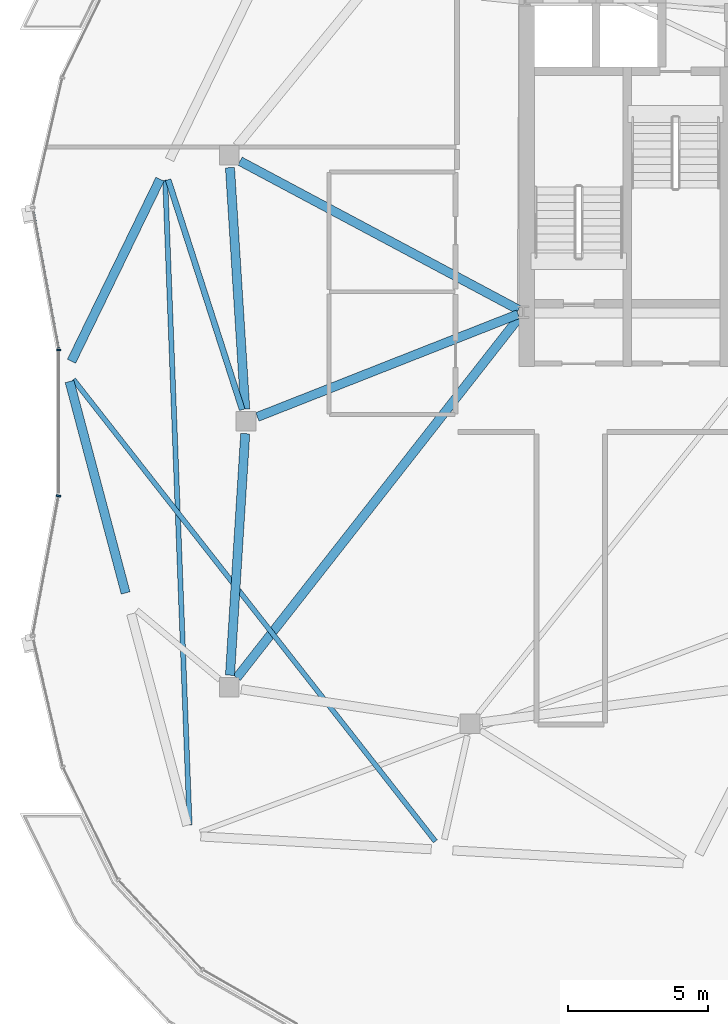
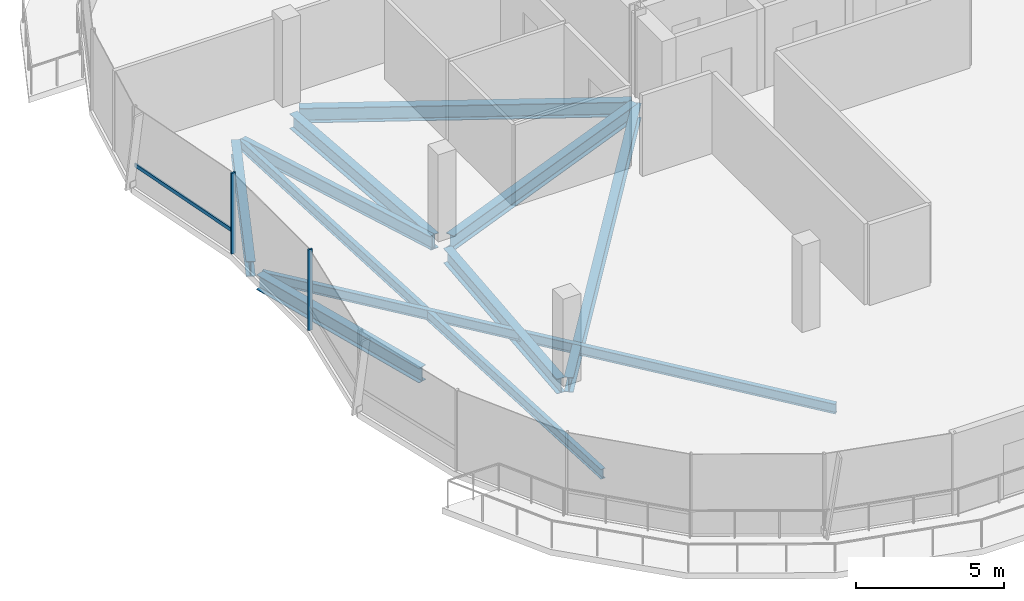
# One storey, part 4 of 31: 10 beams, 3 members, 1 element without a shape of its own.
"""IFC4 building model written with IfcOpenShell, lengths in metres."""

import ifcopenshell
import ifcopenshell.guid

model = None  # the IFC model being written
_history = None  # IfcOwnerHistory: only IFC2X3 demands one
_inside = {}  # id of a spatial element -> (the spatial element, [elements in it])
_under = {}  # id of a project, library or spatial element -> (it, [spatial elements below it])
_declared = {}  # id of a project -> (the project, [libraries it declares])
_typed = {}  # id of a type object -> (the type object, [elements of that type])
_made_of = {}  # id of a material, layer set ... -> (it, [elements and type objects made of it])


def new_model(schema):
    """Start an empty IFC model of exactly this schema.

    Asked for "IFC4X3", IfcOpenShell would pick the latest addendum, in which some entities
    have other attributes; the version numbers below select the first issue.
    IFC2X3 requires an IfcOwnerHistory on every rooted entity: one is made here for all.
    """
    global model, _history
    if schema == "IFC4X3":
        model = ifcopenshell.file(schema_version=(4, 3, 0, 0))
    else:
        model = ifcopenshell.file(schema=schema)
    _inside.clear()
    _under.clear()
    _declared.clear()
    _typed.clear()
    _made_of.clear()
    _history = None
    if model.schema == "IFC2X3":
        org = make("IfcOrganization", Name="unknown")
        user = make(
            "IfcPersonAndOrganization",
            ThePerson=make("IfcPerson", FamilyName="unknown"),
            TheOrganization=org,
        )
        app = make(
            "IfcApplication",
            ApplicationDeveloper=org,
            Version="unknown",
            ApplicationFullName="unknown",
            ApplicationIdentifier="unknown",
        )
        _history = make(
            "IfcOwnerHistory",
            OwningUser=user,
            OwningApplication=app,
            ChangeAction="ADDED",
            CreationDate=0,
        )
    return model


def make(cls, **values):
    """One entity of the class cls with the attributes given. An attribute that is None is left unset."""
    return model.create_entity(
        cls, **{name: value for name, value in values.items() if value is not None}
    )


def rooted(cls, **values):
    """An entity with a GlobalId (a new one), such as an element, a storey or a relation."""
    return make(cls, GlobalId=ifcopenshell.guid.new(), OwnerHistory=_history, **values)


def si_unit(unit_type, name, prefix=None):
    """IfcSIUnit, for example si_unit("LENGTHUNIT", "METRE", prefix="MILLI")."""
    return make("IfcSIUnit", UnitType=unit_type, Prefix=prefix, Name=name)


def assignment(units):
    """IfcUnitAssignment: the units of a project."""
    return None if units is None else make("IfcUnitAssignment", Units=units)


def point(xyz):
    """IfcCartesianPoint."""
    return None if xyz is None else make("IfcCartesianPoint", Coordinates=xyz)


def direction(xyz):
    """IfcDirection."""
    return None if xyz is None else make("IfcDirection", DirectionRatios=xyz)


def frame(location, z_axis=None, x_axis=None):
    """IfcAxis2Placement3D, a coordinate frame: its origin and axes. An axis left out is left unset."""
    return make(
        "IfcAxis2Placement3D",
        Location=point(location),
        Axis=direction(z_axis),
        RefDirection=direction(x_axis),
    )


def frame_2d(location, x_axis=None):
    """IfcAxis2Placement2D, a coordinate frame in the plane: its origin and x axis."""
    return make(
        "IfcAxis2Placement2D", Location=point(location), RefDirection=direction(x_axis)
    )


def origin():
    """The frame at (0, 0, 0) with its axes left unset."""
    return frame((0.0, 0.0, 0.0))


def origin_2d():
    """The frame at (0, 0) in the plane with its x axis left unset."""
    return frame_2d((0.0, 0.0))


def place(relative_to, where):
    """IfcLocalPlacement: puts the frame where relative to a parent placement (None: the world)."""
    return make(
        "IfcLocalPlacement", PlacementRelTo=relative_to, RelativePlacement=where
    )


def context(
    kind, dimensions, precision=None, world=None, true_north=None, identifier=None
):
    """IfcGeometricRepresentationContext, for example the 3D "Model" context."""
    return make(
        "IfcGeometricRepresentationContext",
        ContextIdentifier=identifier,
        ContextType=kind,
        CoordinateSpaceDimension=dimensions,
        Precision=precision,
        WorldCoordinateSystem=world,
        TrueNorth=true_north,
    )


def subcontext(parent, identifier, kind, view, scale=None):
    """IfcGeometricRepresentationSubContext, for example "Body" below "Model"."""
    return make(
        "IfcGeometricRepresentationSubContext",
        ContextIdentifier=identifier,
        ContextType=kind,
        ParentContext=parent,
        TargetScale=scale,
        TargetView=view,
    )


def project(units=None, contexts=None):
    """IfcProject with its units and contexts."""
    return rooted(
        "IfcProject",
        Name="project",
        RepresentationContexts=contexts,
        UnitsInContext=assignment(units),
    )


def spatial(cls, under=None, at=None, **own):
    """A site, building, storey or space (cls), placed at a placement, below another one or the project."""
    s = rooted(cls, ObjectPlacement=at, **own)
    if under is not None:
        _under.setdefault(under.id(), (under, []))[1].append(s)
    return s


def profile(cls, at=None, kind="AREA", **sizes):
    """A parametric profile (cls). Its sizes go by their IFC names, for example OverallWidth=200.0."""
    return make(cls, ProfileType=kind, Position=at, **sizes)


def rectangle(**sizes):
    """IfcRectangleProfileDef."""
    return profile("IfcRectangleProfileDef", **sizes)


def i_section(**sizes):
    """IfcIShapeProfileDef."""
    return profile("IfcIShapeProfileDef", **sizes)


def extrude(swept, where, along, depth):
    """IfcExtrudedAreaSolid: the profile swept, set in the frame where, extruded along a direction by depth."""
    return make(
        "IfcExtrudedAreaSolid",
        SweptArea=swept,
        Position=where,
        ExtrudedDirection=direction(along),
        Depth=depth,
    )


def shape(context_of_items, identifier, shape_type, items):
    """IfcShapeRepresentation: the items that make up one representation, for example the "Body"."""
    return make(
        "IfcShapeRepresentation",
        ContextOfItems=context_of_items,
        RepresentationIdentifier=identifier,
        RepresentationType=shape_type,
        Items=items,
    )


def material(Name=None, Category=None):
    """IfcMaterial."""
    return make("IfcMaterial", Name=Name, Category=Category)


def material_profile(
    of_material, cross_section, Name=None, Category=None, Priority=None
):
    """IfcMaterialProfile: a cross section and its material."""
    return make(
        "IfcMaterialProfile",
        Name=Name,
        Material=of_material,
        Profile=cross_section,
        Priority=Priority,
        Category=Category,
    )


def profile_set(profiles, Name=None, composite=None):
    """IfcMaterialProfileSet."""
    return make(
        "IfcMaterialProfileSet",
        Name=Name,
        MaterialProfiles=profiles,
        CompositeProfile=composite,
    )


def made_of(thing, what):
    """Note that an element or type object is made of a material, layer set ...; save() writes the relation."""
    if what is not None:
        _made_of.setdefault(what.id(), (what, []))[1].append(thing)
    return thing


def type_object(cls, material=None, **own):
    """A type object (cls), such as IfcWallType, which elements share."""
    return made_of(rooted(cls, **own), material)


def element(
    cls,
    number,
    at=None,
    inside=None,
    cuts=None,
    type_object=None,
    material=None,
    context=None,
    identifier="Body",
    shape_type=None,
    held_by="IfcProductDefinitionShape",
    body=None,
    shapes=None,
    **own,
):
    """One element of the class cls, such as IfcWall. Its Tag is "e" and its number.

    at: its placement. inside: the storey or other place that contains it. cuts: it is an
    opening in that element (IfcRelVoidsElement). A single representation is given by context,
    identifier, shape_type and body (its items); several are given by shapes. held_by: the class
    of the entity that holds the representations. save() writes the other relations.
    """
    e = rooted(cls, Tag="e%d" % number, ObjectPlacement=at, **own)
    if body is not None:
        shapes = [shape(context, identifier, shape_type, body)]
    if shapes is not None:
        e.Representation = make(held_by, Representations=shapes)
    if inside is not None:
        _inside.setdefault(inside.id(), (inside, []))[1].append(e)
    if cuts is not None:
        rooted(
            "IfcRelVoidsElement", RelatingBuildingElement=cuts, RelatedOpeningElement=e
        )
    if type_object is not None:
        _typed.setdefault(type_object.id(), (type_object, []))[1].append(e)
    return made_of(e, material)


def aggregate(whole, parts):
    """IfcRelAggregates: a whole, such as a stair, and the parts it consists of."""
    return rooted("IfcRelAggregates", RelatingObject=whole, RelatedObjects=parts)


def save(model, path):
    """Write the relations noted so far, then the file.

    IfcRelAggregates (storeys below a building ...), IfcRelContainedInSpatialStructure (elements
    in a storey), IfcRelDefinesByType, IfcRelAssociatesMaterial and IfcRelDeclares: one each for
    every whole, place, type object, material and project.
    """
    for whole, parts in _under.values():
        aggregate(whole, parts)
    for where, things in _inside.values():
        rooted(
            "IfcRelContainedInSpatialStructure",
            RelatedElements=things,
            RelatingStructure=where,
        )
    for kind, things in _typed.values():
        rooted("IfcRelDefinesByType", RelatedObjects=things, RelatingType=kind)
    for what, things in _made_of.values():
        rooted("IfcRelAssociatesMaterial", RelatedObjects=things, RelatingMaterial=what)
    for by, libraries in _declared.values():
        rooted("IfcRelDeclares", RelatingContext=by, RelatedDefinitions=libraries)
    model.write(path)


model = new_model("IFC4")

# Units and contexts
model_context = context("Model", 3, precision=1e-05, world=origin(), true_north=direction((0.0, 1.0)))
body_context = subcontext(model_context, "Body", "Model", "MODEL_VIEW")
ifc_project = project(units=[si_unit("LENGTHUNIT", "METRE"), si_unit("AREAUNIT", "SQUARE_METRE"), si_unit("VOLUMEUNIT", "CUBIC_METRE"), si_unit("PLANEANGLEUNIT", "RADIAN"), si_unit("MASSUNIT", "GRAM", prefix="KILO"), si_unit("THERMODYNAMICTEMPERATUREUNIT", "KELVIN"), si_unit("POWERUNIT", "WATT")], contexts=[model_context])

# Site, building, storey
site_placement = place(None, origin())
site = spatial("IfcSite", under=ifc_project, at=site_placement, CompositionType="ELEMENT")
building_placement = place(site_placement, origin())
building = spatial("IfcBuilding", under=site, at=building_placement, Name="Cundina Bronze Exchange", CompositionType="ELEMENT")
storey_placement = place(building_placement, frame((0.0, 0.0, 275.60009765625)))
storey = spatial("IfcBuildingStorey", under=building, at=storey_placement, Name="L73", CompositionType="ELEMENT", Elevation=275.60009765625)

# Beams
ifc_material_1 = material(Name="Steel ASTM A992 Grade 50", Category="steel")
ifc_material_profile_1 = material_profile(ifc_material_1, i_section(OverallWidth=0.2119140625, OverallDepth=0.5439453125, WebThickness=0.01318359375, FlangeThickness=0.021240234375, FilletRadius=0.013916015625, at=origin_2d()), Name="W21X83", Category="steel")
ifc_profile_set_1 = profile_set([ifc_material_profile_1], Name="Steel ASTM A992 Grade 50")
beam_type_1 = type_object("IfcBeamType", Name="BM-FLR-W21A", PredefinedType="BEAM", material=ifc_profile_set_1)
beam_1_placement = place(storey_placement, frame((-41.334228515625, 0.4169921875, -0.531982421875), z_axis=(-0.306706012964, 0.951804297958, 0.0), x_axis=(-0.951804297958, -0.306706012964, 0.0)))
element("IfcBeam", 1, at=beam_1_placement, inside=storey, type_object=beam_type_1, Name="L73 Leg W Radial Floor Beam 07", PredefinedType="BEAM", context=body_context, shape_type="SweptSolid", body=[
    extrude(i_section(OverallWidth=0.2119140625, OverallDepth=0.5439453125, WebThickness=0.01318359375, FlangeThickness=0.021240234375, FilletRadius=0.013916015625, at=origin_2d()), origin(), (0.0, 0.0, 1.0), 8.629638671875),
])
ifc_material_profile_2 = material_profile(ifc_material_1, i_section(OverallWidth=0.178955078125, OverallDepth=0.409912109375, WebThickness=0.0087890625, FlangeThickness=0.014404296875, FilletRadius=0.010986328125, at=origin_2d()), Name="W16X45", Category="steel")
ifc_profile_set_2 = profile_set([ifc_material_profile_2], Name="Steel ASTM A992 Grade 50")
beam_type_2 = type_object("IfcBeamType", Name="BM-JST-W16", PredefinedType="JOIST", material=ifc_profile_set_2)
beam_2_placement = place(storey_placement, frame((-44.085205078125, 8.6123046875, -0.465087890625), z_axis=(0.037784872152, -0.999285896746, 0.0), x_axis=(0.999285896746, 0.037784872152, 0.0)))
element("IfcBeam", 2, at=beam_2_placement, inside=storey, type_object=beam_type_2, Name="L73 Leg W Lobe Floor Joist 07-10", PredefinedType="JOIST", context=body_context, shape_type="SweptSolid", body=[
    extrude(i_section(OverallWidth=0.178955078125, OverallDepth=0.409912109375, WebThickness=0.0087890625, FlangeThickness=0.014404296875, FilletRadius=0.010986328125, at=origin_2d()), origin(), (0.0, 0.0, 1.0), 23.041015625),
])
beam_3_placement = place(storey_placement, frame((-47.360595703125, 1.49462890625, -0.465087890625), z_axis=(0.616804005008, -0.78711677622, 0.0), x_axis=(0.78711677622, 0.616804005008, 0.0)))
element("IfcBeam", 3, at=beam_3_placement, inside=storey, type_object=beam_type_2, Name="L73 Leg W Lobe Floor Joist 08-11", PredefinedType="JOIST", context=body_context, shape_type="SweptSolid", body=[
    extrude(i_section(OverallWidth=0.178955078125, OverallDepth=0.409912109375, WebThickness=0.0087890625, FlangeThickness=0.014404296875, FilletRadius=0.010986328125, at=origin_2d()), origin(), (0.0, 0.0, 1.0), 20.948974609375),
])
ifc_material_profile_3 = material_profile(ifc_material_1, i_section(OverallWidth=0.324951171875, OverallDepth=0.615966796875, WebThickness=0.013916015625, FlangeThickness=0.021484375, FilletRadius=0.01611328125, at=origin_2d()), Name="W24X117", Category="steel")
ifc_profile_set_3 = profile_set([ifc_material_profile_3], Name="Steel ASTM A992 Grade 50")
beam_type_3 = type_object("IfcBeamType", Name="BM-RING-W24", PredefinedType="USERDEFINED", material=ifc_profile_set_3)
for number, where, z_axis, x_axis, name in (
    (4, (-41.7724609375, 9.06298828125, -0.568115234375), (0.063046519736, -0.998010589297, 0.0), (0.998010589297, 0.063046519736, 0.0), "L73 W Inner Structural Ring Girder 03"),
    (5, (-41.2275390625, -0.43701171875, -0.568115234375), (-0.063046519736, -0.998010589297, 0.0), (0.998010589297, -0.063046519736, 0.0), "L73 W Inner Structural Ring Girder 04"),
):
    element("IfcBeam", number, at=place(storey_placement, frame(where, z_axis=z_axis, x_axis=x_axis)), inside=storey, type_object=beam_type_3, Name=name, ObjectType="GIRDER", PredefinedType="USERDEFINED", context=body_context, shape_type="SweptSolid", body=[
        extrude(i_section(OverallWidth=0.324951171875, OverallDepth=0.615966796875, WebThickness=0.013916015625, FlangeThickness=0.021484375, FilletRadius=0.01611328125, at=origin_2d()), origin(), (0.0, 0.0, 1.0), 8.64306640625),
    ])
beam_4_placement = place(storey_placement, frame((-31.482421875, 3.828125, -0.568115234375), z_axis=(-0.930404106569, -0.366535398673, 0.0), x_axis=(0.366535398673, -0.930404106569, 0.0)))
element("IfcBeam", 6, at=beam_4_placement, inside=storey, type_object=beam_type_3, Name="L73 W Core-to-Waist Tie Beam 1", ObjectType="GIRDER", PredefinedType="USERDEFINED", context=body_context, shape_type="SweptSolid", body=[
    extrude(i_section(OverallWidth=0.324951171875, OverallDepth=0.615966796875, WebThickness=0.013916015625, FlangeThickness=0.021484375, FilletRadius=0.01611328125, at=origin_2d()), origin(), (0.0, 0.0, 1.0), 10.00634765625),
])
beam_5_placement = place(storey_placement, frame((-31.472900390625, 3.9921875, -0.568115234375), z_axis=(-0.882350541683, 0.470592734317, 0.0), x_axis=(-0.470592734317, -0.882350541683, 0.0)))
element("IfcBeam", 7, at=beam_5_placement, inside=storey, type_object=beam_type_3, Name="L73 W Core-to-Waist Tie Beam 2", ObjectType="GIRDER", PredefinedType="USERDEFINED", context=body_context, shape_type="SweptSolid", body=[
    extrude(i_section(OverallWidth=0.324951171875, OverallDepth=0.615966796875, WebThickness=0.013916015625, FlangeThickness=0.021484375, FilletRadius=0.01611328125, at=origin_2d()), origin(), (0.0, 0.0, 1.0), 11.26611328125),
])
beam_6_placement = place(storey_placement, frame((-31.4208984375, 3.74560546875, -0.568115234375), z_axis=(-0.616782900053, -0.787133314123, 0.0), x_axis=(0.787133314123, -0.616782900053, 0.0)))
element("IfcBeam", 8, at=beam_6_placement, inside=storey, type_object=beam_type_3, Name="L73 W Core-to-Waist Tie Beam 3", ObjectType="GIRDER", PredefinedType="USERDEFINED", context=body_context, shape_type="SweptSolid", body=[
    extrude(i_section(OverallWidth=0.324951171875, OverallDepth=0.615966796875, WebThickness=0.013916015625, FlangeThickness=0.021484375, FilletRadius=0.01611328125, at=origin_2d()), origin(), (0.0, 0.0, 1.0), 16.3896484375),
])
beam_7_placement = place(storey_placement, frame((-44.26953125, 8.65087890625, -0.568115234375), z_axis=(-0.437216986791, -0.899356050995, 0.0), x_axis=(0.899356050995, -0.437216986791, 0.0)))
element("IfcBeam", 9, at=beam_7_placement, inside=storey, type_object=beam_type_3, Name="L73 W Perimeter Ring Girder 07", ObjectType="GIRDER", PredefinedType="USERDEFINED", context=body_context, shape_type="SweptSolid", body=[
    extrude(i_section(OverallWidth=0.324951171875, OverallDepth=0.615966796875, WebThickness=0.013916015625, FlangeThickness=0.021484375, FilletRadius=0.01611328125, at=origin_2d()), origin(), (0.0, 0.0, 1.0), 7.2294921875),
])
beam_8_placement = place(storey_placement, frame((-47.50048828125, 1.425048828125, -0.568115234375), z_axis=(0.256183793797, -0.966628089699, 0.0), x_axis=(0.966628089699, 0.256183793797, 0.0)))
element("IfcBeam", 10, at=beam_8_placement, inside=storey, type_object=beam_type_3, Name="L73 W Perimeter Ring Girder 08", ObjectType="GIRDER", PredefinedType="USERDEFINED", context=body_context, shape_type="SweptSolid", body=[
    extrude(i_section(OverallWidth=0.324951171875, OverallDepth=0.615966796875, WebThickness=0.013916015625, FlangeThickness=0.021484375, FilletRadius=0.01611328125, at=origin_2d()), origin(), (0.0, 0.0, 1.0), 7.810791015625),
])

# Curtain wall, members
ifc_material_2 = material(Name="Anodised Bronze Aluminium 6063-T6", Category="aluminium")
curtain_wall_type = type_object("IfcCurtainWallType", Name="CWS-CRN-TMD", PredefinedType="NOTDEFINED", material=ifc_material_2)
curtain_wall_placement = place(storey_placement, origin())
curtain_wall = element("IfcCurtainWall", 11, at=curtain_wall_placement, inside=storey, type_object=curtain_wall_type, Name="L73 CW-07 Curtain Wall Run CWR-L73-W2", PredefinedType="NOTDEFINED")
ifc_material_profile_4 = material_profile(ifc_material_2, rectangle(XDim=0.06494140625, YDim=0.159912109375, at=origin_2d()), Name="AL65X160", Category="aluminium")
ifc_profile_set_4 = profile_set([ifc_material_profile_4], Name="Anodised Bronze Aluminium 6063-T6")
member_type_1 = type_object("IfcMemberType", Name="CWM-MUL-160", PredefinedType="MULLION", material=ifc_profile_set_4)
member_1_placement = place(storey_placement, frame((-47.886962890625, 2.552490234375, 0.0), z_axis=(0.0, 0.0, 1.0), x_axis=(0.0, -1.0, 0.0)))
member_1 = element("IfcMember", 12, at=member_1_placement, type_object=member_type_1, Name="CW-07 Mullion 6", PredefinedType="MULLION", context=body_context, shape_type="SweptSolid", body=[
    extrude(rectangle(XDim=0.06494140625, YDim=0.159912109375, at=origin_2d()), origin(), (0.0, 0.0, 1.0), 3.33984375),
])
member_2_placement = place(storey_placement, frame((-47.89697265625, -2.660888671875, 0.0), z_axis=(0.0, 0.0, 1.0), x_axis=(-0.181549039717, -0.983381892338, 0.0)))
member_2 = element("IfcMember", 13, at=member_2_placement, type_object=member_type_1, Name="CW-07 Mullion 7", PredefinedType="MULLION", context=body_context, shape_type="SweptSolid", body=[
    extrude(rectangle(XDim=0.06494140625, YDim=0.159912109375, at=origin_2d()), origin(), (0.0, 0.0, 1.0), 3.33984375),
])
ifc_material_profile_5 = material_profile(ifc_material_2, rectangle(XDim=0.06494140625, YDim=0.14990234375, at=origin_2d()), Name="AL65X150", Category="aluminium")
ifc_profile_set_5 = profile_set([ifc_material_profile_5], Name="Anodised Bronze Aluminium 6063-T6")
member_type_2 = type_object("IfcMemberType", Name="CWM-TRN-150", PredefinedType="USERDEFINED", material=ifc_profile_set_5)
member_3_placement = place(storey_placement, frame((-48.808837890625, 7.600341796875, 0.919921875), z_axis=(0.181560403715, -0.983379794282, 0.0), x_axis=(0.983379794282, 0.181560403715, 0.0)))
member_3 = element("IfcMember", 14, at=member_3_placement, type_object=member_type_2, Name="CW-07 Spandrel Transom 5", ObjectType="TRANSOM", PredefinedType="USERDEFINED", context=body_context, shape_type="SweptSolid", body=[
    extrude(rectangle(XDim=0.06494140625, YDim=0.14990234375, at=origin_2d()), origin(), (0.0, 0.0, 1.0), 5.05859375),
])
aggregate(curtain_wall, [member_3, member_1, member_2])

save(model, "model.ifc")
